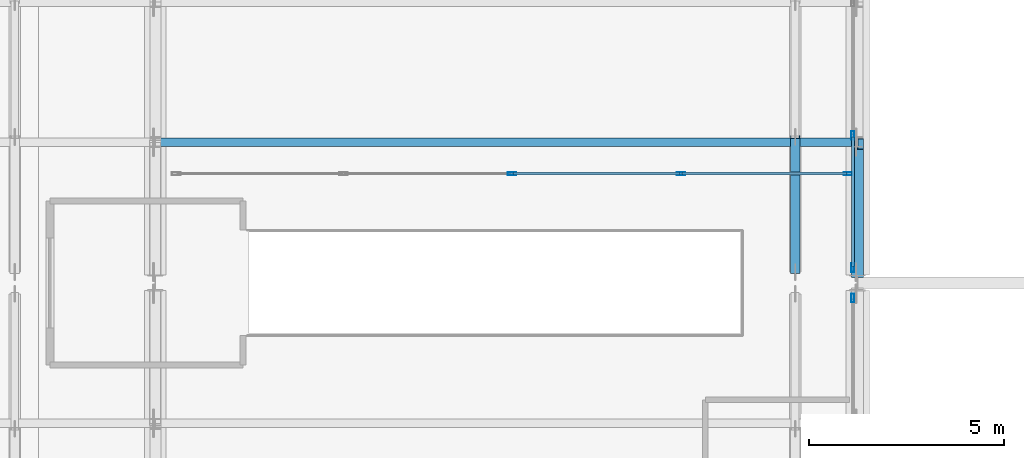
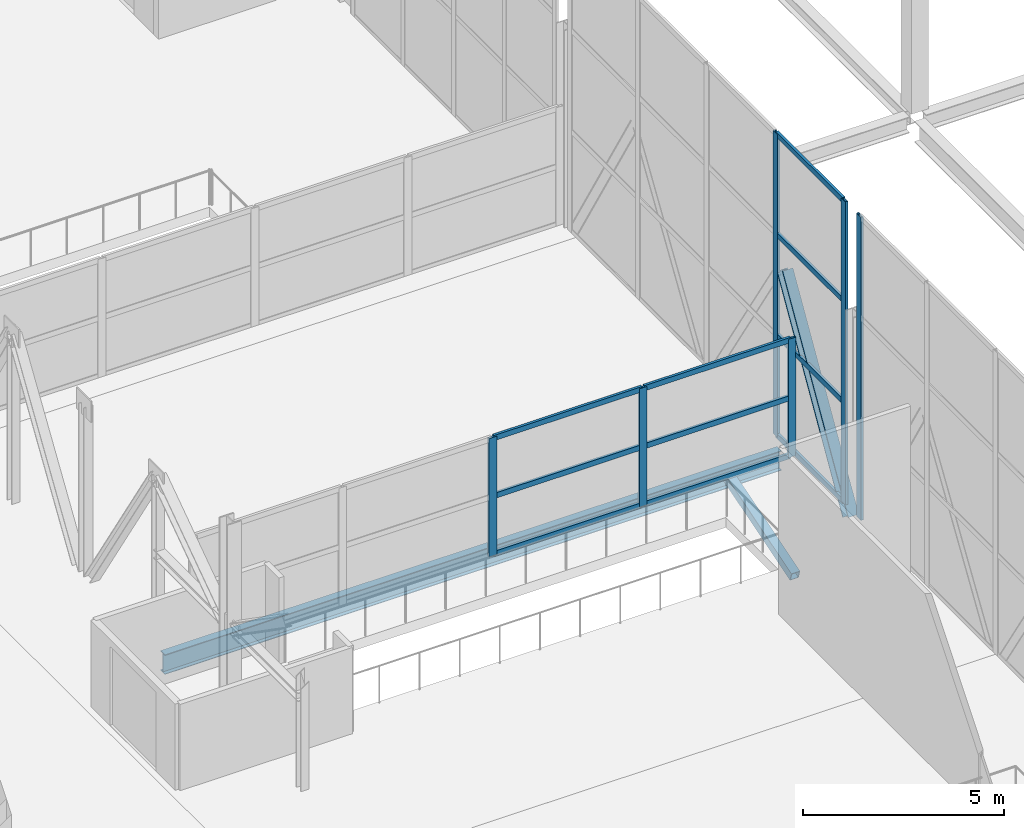
# One storey, part 107 of 191: 18 members, 1 beam, 3 elements without a shape of their own.
"""IFC4 building model written with IfcOpenShell, lengths in metres."""

import ifcopenshell
import ifcopenshell.guid

model = None  # the IFC model being written
_history = None  # IfcOwnerHistory: only IFC2X3 demands one
_inside = {}  # id of a spatial element -> (the spatial element, [elements in it])
_under = {}  # id of a project, library or spatial element -> (it, [spatial elements below it])
_declared = {}  # id of a project -> (the project, [libraries it declares])
_typed = {}  # id of a type object -> (the type object, [elements of that type])
_made_of = {}  # id of a material, layer set ... -> (it, [elements and type objects made of it])


def new_model(schema):
    """Start an empty IFC model of exactly this schema.

    Asked for "IFC4X3", IfcOpenShell would pick the latest addendum, in which some entities
    have other attributes; the version numbers below select the first issue.
    IFC2X3 requires an IfcOwnerHistory on every rooted entity: one is made here for all.
    """
    global model, _history
    if schema == "IFC4X3":
        model = ifcopenshell.file(schema_version=(4, 3, 0, 0))
    else:
        model = ifcopenshell.file(schema=schema)
    _inside.clear()
    _under.clear()
    _declared.clear()
    _typed.clear()
    _made_of.clear()
    _history = None
    if model.schema == "IFC2X3":
        org = make("IfcOrganization", Name="unknown")
        user = make(
            "IfcPersonAndOrganization",
            ThePerson=make("IfcPerson", FamilyName="unknown"),
            TheOrganization=org,
        )
        app = make(
            "IfcApplication",
            ApplicationDeveloper=org,
            Version="unknown",
            ApplicationFullName="unknown",
            ApplicationIdentifier="unknown",
        )
        _history = make(
            "IfcOwnerHistory",
            OwningUser=user,
            OwningApplication=app,
            ChangeAction="ADDED",
            CreationDate=0,
        )
    return model


def make(cls, **values):
    """One entity of the class cls with the attributes given. An attribute that is None is left unset."""
    return model.create_entity(
        cls, **{name: value for name, value in values.items() if value is not None}
    )


def rooted(cls, **values):
    """An entity with a GlobalId (a new one), such as an element, a storey or a relation."""
    return make(cls, GlobalId=ifcopenshell.guid.new(), OwnerHistory=_history, **values)


def si_unit(unit_type, name, prefix=None):
    """IfcSIUnit, for example si_unit("LENGTHUNIT", "METRE", prefix="MILLI")."""
    return make("IfcSIUnit", UnitType=unit_type, Prefix=prefix, Name=name)


def assignment(units):
    """IfcUnitAssignment: the units of a project."""
    return None if units is None else make("IfcUnitAssignment", Units=units)


def point(xyz):
    """IfcCartesianPoint."""
    return None if xyz is None else make("IfcCartesianPoint", Coordinates=xyz)


def direction(xyz):
    """IfcDirection."""
    return None if xyz is None else make("IfcDirection", DirectionRatios=xyz)


def frame(location, z_axis=None, x_axis=None):
    """IfcAxis2Placement3D, a coordinate frame: its origin and axes. An axis left out is left unset."""
    return make(
        "IfcAxis2Placement3D",
        Location=point(location),
        Axis=direction(z_axis),
        RefDirection=direction(x_axis),
    )


def frame_2d(location, x_axis=None):
    """IfcAxis2Placement2D, a coordinate frame in the plane: its origin and x axis."""
    return make(
        "IfcAxis2Placement2D", Location=point(location), RefDirection=direction(x_axis)
    )


def origin():
    """The frame at (0, 0, 0) with its axes left unset."""
    return frame((0.0, 0.0, 0.0))


def origin_2d():
    """The frame at (0, 0) in the plane with its x axis left unset."""
    return frame_2d((0.0, 0.0))


def place(relative_to, where):
    """IfcLocalPlacement: puts the frame where relative to a parent placement (None: the world)."""
    return make(
        "IfcLocalPlacement", PlacementRelTo=relative_to, RelativePlacement=where
    )


def context(
    kind, dimensions, precision=None, world=None, true_north=None, identifier=None
):
    """IfcGeometricRepresentationContext, for example the 3D "Model" context."""
    return make(
        "IfcGeometricRepresentationContext",
        ContextIdentifier=identifier,
        ContextType=kind,
        CoordinateSpaceDimension=dimensions,
        Precision=precision,
        WorldCoordinateSystem=world,
        TrueNorth=true_north,
    )


def subcontext(parent, identifier, kind, view, scale=None):
    """IfcGeometricRepresentationSubContext, for example "Body" below "Model"."""
    return make(
        "IfcGeometricRepresentationSubContext",
        ContextIdentifier=identifier,
        ContextType=kind,
        ParentContext=parent,
        TargetScale=scale,
        TargetView=view,
    )


def project(units=None, contexts=None):
    """IfcProject with its units and contexts."""
    return rooted(
        "IfcProject",
        Name="project",
        RepresentationContexts=contexts,
        UnitsInContext=assignment(units),
    )


def spatial(cls, under=None, at=None, **own):
    """A site, building, storey or space (cls), placed at a placement, below another one or the project."""
    s = rooted(cls, ObjectPlacement=at, **own)
    if under is not None:
        _under.setdefault(under.id(), (under, []))[1].append(s)
    return s


def profile(cls, at=None, kind="AREA", **sizes):
    """A parametric profile (cls). Its sizes go by their IFC names, for example OverallWidth=200.0."""
    return make(cls, ProfileType=kind, Position=at, **sizes)


def hollow_rectangle(**sizes):
    """IfcRectangleHollowProfileDef."""
    return profile("IfcRectangleHollowProfileDef", **sizes)


def i_section(**sizes):
    """IfcIShapeProfileDef."""
    return profile("IfcIShapeProfileDef", **sizes)


def extrude(swept, where, along, depth):
    """IfcExtrudedAreaSolid: the profile swept, set in the frame where, extruded along a direction by depth."""
    return make(
        "IfcExtrudedAreaSolid",
        SweptArea=swept,
        Position=where,
        ExtrudedDirection=direction(along),
        Depth=depth,
    )


def shape(context_of_items, identifier, shape_type, items):
    """IfcShapeRepresentation: the items that make up one representation, for example the "Body"."""
    return make(
        "IfcShapeRepresentation",
        ContextOfItems=context_of_items,
        RepresentationIdentifier=identifier,
        RepresentationType=shape_type,
        Items=items,
    )


def material(Name=None, Category=None):
    """IfcMaterial."""
    return make("IfcMaterial", Name=Name, Category=Category)


def layer(
    of_material, thickness, ventilated=None, Name=None, Category=None, Priority=None
):
    """IfcMaterialLayer: one layer of a wall or slab, of a material (None: an air gap)."""
    return make(
        "IfcMaterialLayer",
        Material=of_material,
        LayerThickness=thickness,
        IsVentilated=ventilated,
        Name=Name,
        Category=Category,
        Priority=Priority,
    )


def layer_set(layers, Name=None):
    """IfcMaterialLayerSet."""
    return make("IfcMaterialLayerSet", MaterialLayers=layers, LayerSetName=Name)


def material_profile(
    of_material, cross_section, Name=None, Category=None, Priority=None
):
    """IfcMaterialProfile: a cross section and its material."""
    return make(
        "IfcMaterialProfile",
        Name=Name,
        Material=of_material,
        Profile=cross_section,
        Priority=Priority,
        Category=Category,
    )


def profile_set(profiles, Name=None, composite=None):
    """IfcMaterialProfileSet."""
    return make(
        "IfcMaterialProfileSet",
        Name=Name,
        MaterialProfiles=profiles,
        CompositeProfile=composite,
    )


def made_of(thing, what):
    """Note that an element or type object is made of a material, layer set ...; save() writes the relation."""
    if what is not None:
        _made_of.setdefault(what.id(), (what, []))[1].append(thing)
    return thing


def type_object(cls, material=None, **own):
    """A type object (cls), such as IfcWallType, which elements share."""
    return made_of(rooted(cls, **own), material)


def element(
    cls,
    number,
    at=None,
    inside=None,
    cuts=None,
    type_object=None,
    material=None,
    context=None,
    identifier="Body",
    shape_type=None,
    held_by="IfcProductDefinitionShape",
    body=None,
    shapes=None,
    **own,
):
    """One element of the class cls, such as IfcWall. Its Tag is "e" and its number.

    at: its placement. inside: the storey or other place that contains it. cuts: it is an
    opening in that element (IfcRelVoidsElement). A single representation is given by context,
    identifier, shape_type and body (its items); several are given by shapes. held_by: the class
    of the entity that holds the representations. save() writes the other relations.
    """
    e = rooted(cls, Tag="e%d" % number, ObjectPlacement=at, **own)
    if body is not None:
        shapes = [shape(context, identifier, shape_type, body)]
    if shapes is not None:
        e.Representation = make(held_by, Representations=shapes)
    if inside is not None:
        _inside.setdefault(inside.id(), (inside, []))[1].append(e)
    if cuts is not None:
        rooted(
            "IfcRelVoidsElement", RelatingBuildingElement=cuts, RelatedOpeningElement=e
        )
    if type_object is not None:
        _typed.setdefault(type_object.id(), (type_object, []))[1].append(e)
    return made_of(e, material)


def aggregate(whole, parts):
    """IfcRelAggregates: a whole, such as a stair, and the parts it consists of."""
    return rooted("IfcRelAggregates", RelatingObject=whole, RelatedObjects=parts)


def save(model, path):
    """Write the relations noted so far, then the file.

    IfcRelAggregates (storeys below a building ...), IfcRelContainedInSpatialStructure (elements
    in a storey), IfcRelDefinesByType, IfcRelAssociatesMaterial and IfcRelDeclares: one each for
    every whole, place, type object, material and project.
    """
    for whole, parts in _under.values():
        aggregate(whole, parts)
    for where, things in _inside.values():
        rooted(
            "IfcRelContainedInSpatialStructure",
            RelatedElements=things,
            RelatingStructure=where,
        )
    for kind, things in _typed.values():
        rooted("IfcRelDefinesByType", RelatedObjects=things, RelatingType=kind)
    for what, things in _made_of.values():
        rooted("IfcRelAssociatesMaterial", RelatedObjects=things, RelatingMaterial=what)
    for by, libraries in _declared.values():
        rooted("IfcRelDeclares", RelatingContext=by, RelatedDefinitions=libraries)
    model.write(path)


model = new_model("IFC4")

# Units and contexts
model_context = context("Model", 3, precision=1e-05, world=origin(), true_north=direction((0.0, 1.0)))
body_context = subcontext(model_context, "Body", "Model", "MODEL_VIEW")
ifc_project = project(units=[si_unit("LENGTHUNIT", "METRE"), si_unit("AREAUNIT", "SQUARE_METRE"), si_unit("VOLUMEUNIT", "CUBIC_METRE"), si_unit("PLANEANGLEUNIT", "RADIAN"), si_unit("MASSUNIT", "GRAM", prefix="KILO")], contexts=[model_context])

# Site, building, storey
site_placement = place(None, origin())
site = spatial("IfcSite", under=ifc_project, at=site_placement, CompositionType="ELEMENT")
building_placement = place(site_placement, origin())
building = spatial("IfcBuilding", under=site, at=building_placement, Name="Tamarisk Ironworks Central Station", CompositionType="ELEMENT")
storey_placement = place(building_placement, frame((0.0, 0.0, 6.60009765625)))
storey = spatial("IfcBuildingStorey", under=building, at=storey_placement, Name="L01", CompositionType="ELEMENT", Elevation=6.60009765625)

# Beam
ifc_material_1 = material(Name="Structural steel S355J2", Category="steel")
ifc_material_profile_1 = material_profile(ifc_material_1, i_section(OverallWidth=0.219970703125, OverallDepth=0.60009765625, WebThickness=0.011962890625, FlangeThickness=0.01904296875, at=origin_2d()), Name="IPE 600")
ifc_profile_set_1 = profile_set([ifc_material_profile_1], Name="Structural steel S355J2")
beam_type = type_object("IfcBeamType", Name="BM-B01", PredefinedType="BEAM", material=ifc_profile_set_1)
beam_placement = place(storey_placement, frame((90.135009765625, 68.39990234375, -0.60009765625), z_axis=(1.0, 0.0, 0.0), x_axis=(0.0, 1.0, 0.0)))
element("IfcBeam", 1, at=beam_placement, inside=storey, type_object=beam_type, Name="L01 secondary composite beam 0041", PredefinedType="BEAM", context=body_context, shape_type="SweptSolid", body=[
    extrude(i_section(OverallWidth=0.219970703125, OverallDepth=0.60009765625, WebThickness=0.011962890625, FlangeThickness=0.01904296875, at=origin_2d()), origin(), (0.0, 0.0, 1.0), 17.72998046875),
])

# Curtain wall, member
ifc_material_2 = material(Name="Anodized aluminium alloy 6063-T6", Category="aluminium")
ifc_layer_1 = layer(ifc_material_2, 0.179931640625)
ifc_layer_set_1 = layer_set([ifc_layer_1], Name="Anodized aluminium alloy 6063-T6")
curtain_wall_type_1 = type_object("IfcCurtainWallType", Name="CW-06", PredefinedType="USERDEFINED", material=ifc_layer_set_1)
curtain_wall_1_placement = place(storey_placement, origin())
curtain_wall_1 = element("IfcCurtainWall", 2, at=curtain_wall_1_placement, inside=storey, type_object=curtain_wall_type_1, Name="Concourse E track-overlook curtain wall 04", ObjectType="GLAZED CURTAIN WALL", PredefinedType="USERDEFINED")
ifc_material_profile_2 = material_profile(ifc_material_2, hollow_rectangle(XDim=0.074951171875, YDim=0.219970703125, WallThickness=0.00390625, at=origin_2d()), Name="ALUM 220x75")
ifc_profile_set_2 = profile_set([ifc_material_profile_2], Name="Anodized aluminium alloy 6063-T6")
member_type_1 = type_object("IfcMemberType", Name="CWM-01", PredefinedType="MULLION", material=ifc_profile_set_2)
member_1_placement = place(storey_placement, frame((107.8798828125, 64.41259765625, 0.0), z_axis=(0.0, 0.0, 1.0), x_axis=(-1.0, 0.0, 0.0)))
member_1 = element("IfcMember", 3, at=member_1_placement, type_object=member_type_1, Name="CW06 mullion 5", PredefinedType="MULLION", context=body_context, shape_type="SweptSolid", body=[
    extrude(hollow_rectangle(XDim=0.074951171875, YDim=0.219970703125, WallThickness=0.00390625, at=origin_2d()), origin(), (0.0, 0.0, 1.0), 9.219970703125),
])
aggregate(curtain_wall_1, [member_1])

# Curtain wall, members
curtain_wall_2_placement = place(storey_placement, origin())
curtain_wall_2 = element("IfcCurtainWall", 4, at=curtain_wall_2_placement, inside=storey, type_object=curtain_wall_type_1, Name="Concourse E track-overlook curtain wall 05", ObjectType="GLAZED CURTAIN WALL", PredefinedType="USERDEFINED")
member_2_placement = place(storey_placement, frame((107.8798828125, 65.1875, 0.0), z_axis=(0.0, 0.0, 1.0), x_axis=(-1.0, 0.0, 0.0)))
member_2 = element("IfcMember", 5, at=member_2_placement, type_object=member_type_1, Name="CW06 mullion 1", PredefinedType="MULLION", context=body_context, shape_type="SweptSolid", body=[
    extrude(hollow_rectangle(XDim=0.074951171875, YDim=0.219970703125, WallThickness=0.00390625, at=origin_2d()), origin(), (0.0, 0.0, 1.0), 9.219970703125),
])
member_3_placement = place(storey_placement, frame((107.8798828125, 68.574951171875, 0.0), z_axis=(0.0, 0.0, 1.0), x_axis=(-1.0, 0.0, 0.0)))
member_3 = element("IfcMember", 6, at=member_3_placement, type_object=member_type_1, Name="CW06 mullion 2", PredefinedType="MULLION", context=body_context, shape_type="SweptSolid", body=[
    extrude(hollow_rectangle(XDim=0.074951171875, YDim=0.219970703125, WallThickness=0.00390625, at=origin_2d()), origin(), (0.0, 0.0, 1.0), 9.219970703125),
])

ifc_layer_2 = layer(ifc_material_2, 0.179931640625)
ifc_layer_set_2 = layer_set([ifc_layer_2], Name="Anodized aluminium alloy 6063-T6")
curtain_wall_type_2 = type_object("IfcCurtainWallType", Name="CW-24", PredefinedType="USERDEFINED", material=ifc_layer_set_2)
curtain_wall_3_placement = place(storey_placement, origin())
curtain_wall_3 = element("IfcCurtainWall", 7, at=curtain_wall_3_placement, inside=storey, type_object=curtain_wall_type_2, Name="North bridge trackside east glazed screen", ObjectType="GLAZED CURTAIN WALL", PredefinedType="USERDEFINED")
member_4_placement = place(storey_placement, frame((99.14599609375, 67.60009765625, 0.0), z_axis=(0.0, 0.0, 1.0), x_axis=(0.0, 1.0, 0.0)))
member_4 = element("IfcMember", 8, at=member_4_placement, type_object=member_type_1, Name="CW24 mullion 3", PredefinedType="MULLION", context=body_context, shape_type="SweptSolid", body=[
    extrude(hollow_rectangle(XDim=0.074951171875, YDim=0.219970703125, WallThickness=0.00390625, at=origin_2d()), origin(), (0.0, 0.0, 1.0), 3.599853515625),
])
member_5_placement = place(storey_placement, frame((103.468994140625, 67.60009765625, 0.0), z_axis=(0.0, 0.0, 1.0), x_axis=(0.0, 1.0, 0.0)))
member_5 = element("IfcMember", 9, at=member_5_placement, type_object=member_type_1, Name="CW24 mullion 4", PredefinedType="MULLION", context=body_context, shape_type="SweptSolid", body=[
    extrude(hollow_rectangle(XDim=0.074951171875, YDim=0.219970703125, WallThickness=0.00390625, at=origin_2d()), origin(), (0.0, 0.0, 1.0), 3.599853515625),
])
member_6_placement = place(storey_placement, frame((107.75439453125, 67.60009765625, 0.0), z_axis=(0.0, 0.0, 1.0), x_axis=(0.0, 1.0, 0.0)))
member_6 = element("IfcMember", 10, at=member_6_placement, type_object=member_type_1, Name="CW24 mullion 5", PredefinedType="MULLION", context=body_context, shape_type="SweptSolid", body=[
    extrude(hollow_rectangle(XDim=0.074951171875, YDim=0.219970703125, WallThickness=0.00390625, at=origin_2d()), origin(), (0.0, 0.0, 1.0), 3.599853515625),
])

# Member
ifc_material_profile_3 = material_profile(ifc_material_2, hollow_rectangle(XDim=0.074951171875, YDim=0.159912109375, WallThickness=0.00390625, at=origin_2d()), Name="ALUM 160x75")
ifc_profile_set_3 = profile_set([ifc_material_profile_3], Name="Anodized aluminium alloy 6063-T6")
member_type_2 = type_object("IfcMemberType", Name="CWT-01", PredefinedType="USERDEFINED", material=ifc_profile_set_3)
member_7_placement = place(storey_placement, frame((107.8798828125, 65.220947265625, 0.037353515625), z_axis=(0.0, 1.0, 0.0), x_axis=(-1.0, 0.0, 0.0)))
member_7 = element("IfcMember", 11, at=member_7_placement, type_object=member_type_2, Name="CW06 transom 1.1", ObjectType="TRANSOM", PredefinedType="USERDEFINED", context=body_context, shape_type="SweptSolid", body=[
    extrude(hollow_rectangle(XDim=0.074951171875, YDim=0.159912109375, WallThickness=0.00390625, at=origin_2d()), origin(), (0.0, 0.0, 1.0), 3.320556640625),
])

member_8_placement = place(storey_placement, frame((107.8798828125, 65.220947265625, 3.0732421875), z_axis=(0.0, 1.0, 0.0), x_axis=(-1.0, 0.0, 0.0)))
member_8 = element("IfcMember", 12, at=member_8_placement, type_object=member_type_2, Name="CW06 transom 1.2", ObjectType="TRANSOM", PredefinedType="USERDEFINED", context=body_context, shape_type="SweptSolid", body=[
    extrude(hollow_rectangle(XDim=0.074951171875, YDim=0.159912109375, WallThickness=0.00390625, at=origin_2d()), origin(), (0.0, 0.0, 1.0), 3.320556640625),
])

member_9_placement = place(storey_placement, frame((107.8798828125, 65.220947265625, 6.146484375), z_axis=(0.0, 1.0, 0.0), x_axis=(-1.0, 0.0, 0.0)))
member_9 = element("IfcMember", 13, at=member_9_placement, type_object=member_type_2, Name="CW06 transom 1.3", ObjectType="TRANSOM", PredefinedType="USERDEFINED", context=body_context, shape_type="SweptSolid", body=[
    extrude(hollow_rectangle(XDim=0.074951171875, YDim=0.159912109375, WallThickness=0.00390625, at=origin_2d()), origin(), (0.0, 0.0, 1.0), 3.320556640625),
])

member_10_placement = place(storey_placement, frame((107.8798828125, 65.220947265625, 9.182373046875), z_axis=(0.0, 1.0, 0.0), x_axis=(-1.0, 0.0, 0.0)))
member_10 = element("IfcMember", 14, at=member_10_placement, type_object=member_type_2, Name="CW06 transom 1.4", ObjectType="TRANSOM", PredefinedType="USERDEFINED", context=body_context, shape_type="SweptSolid", body=[
    extrude(hollow_rectangle(XDim=0.074951171875, YDim=0.159912109375, WallThickness=0.00390625, at=origin_2d()), origin(), (0.0, 0.0, 1.0), 3.320556640625),
])

aggregate(curtain_wall_2, [member_2, member_3, member_7, member_8, member_9, member_10])

member_11_placement = place(storey_placement, frame((99.179443359375, 67.60009765625, 0.037353515625), z_axis=(1.0, 0.0, 0.0), x_axis=(0.0, 1.0, 0.0)))
member_11 = element("IfcMember", 15, at=member_11_placement, type_object=member_type_2, Name="CW24 transom 3.1", ObjectType="TRANSOM", PredefinedType="USERDEFINED", context=body_context, shape_type="SweptSolid", body=[
    extrude(hollow_rectangle(XDim=0.074951171875, YDim=0.159912109375, WallThickness=0.00390625, at=origin_2d()), origin(), (0.0, 0.0, 1.0), 4.256103515625),
])

member_12_placement = place(storey_placement, frame((99.179443359375, 67.60009765625, 1.7998046875), z_axis=(1.0, 0.0, 0.0), x_axis=(0.0, 1.0, 0.0)))
member_12 = element("IfcMember", 16, at=member_12_placement, type_object=member_type_2, Name="CW24 transom 3.2", ObjectType="TRANSOM", PredefinedType="USERDEFINED", context=body_context, shape_type="SweptSolid", body=[
    extrude(hollow_rectangle(XDim=0.074951171875, YDim=0.159912109375, WallThickness=0.00390625, at=origin_2d()), origin(), (0.0, 0.0, 1.0), 4.256103515625),
])

member_13_placement = place(storey_placement, frame((99.179443359375, 67.60009765625, 3.5625), z_axis=(1.0, 0.0, 0.0), x_axis=(0.0, 1.0, 0.0)))
member_13 = element("IfcMember", 17, at=member_13_placement, type_object=member_type_2, Name="CW24 transom 3.3", ObjectType="TRANSOM", PredefinedType="USERDEFINED", context=body_context, shape_type="SweptSolid", body=[
    extrude(hollow_rectangle(XDim=0.074951171875, YDim=0.159912109375, WallThickness=0.00390625, at=origin_2d()), origin(), (0.0, 0.0, 1.0), 4.256103515625),
])

member_14_placement = place(storey_placement, frame((103.50244140625, 67.60009765625, 0.037353515625), z_axis=(1.0, 0.0, 0.0), x_axis=(0.0, 1.0, 0.0)))
member_14 = element("IfcMember", 18, at=member_14_placement, type_object=member_type_2, Name="CW24 transom 4.1", ObjectType="TRANSOM", PredefinedType="USERDEFINED", context=body_context, shape_type="SweptSolid", body=[
    extrude(hollow_rectangle(XDim=0.074951171875, YDim=0.159912109375, WallThickness=0.00390625, at=origin_2d()), origin(), (0.0, 0.0, 1.0), 4.218505859375),
])

member_15_placement = place(storey_placement, frame((103.50244140625, 67.60009765625, 1.7998046875), z_axis=(1.0, 0.0, 0.0), x_axis=(0.0, 1.0, 0.0)))
member_15 = element("IfcMember", 19, at=member_15_placement, type_object=member_type_2, Name="CW24 transom 4.2", ObjectType="TRANSOM", PredefinedType="USERDEFINED", context=body_context, shape_type="SweptSolid", body=[
    extrude(hollow_rectangle(XDim=0.074951171875, YDim=0.159912109375, WallThickness=0.00390625, at=origin_2d()), origin(), (0.0, 0.0, 1.0), 4.218505859375),
])

member_16_placement = place(storey_placement, frame((103.50244140625, 67.60009765625, 3.5625), z_axis=(1.0, 0.0, 0.0), x_axis=(0.0, 1.0, 0.0)))
member_16 = element("IfcMember", 20, at=member_16_placement, type_object=member_type_2, Name="CW24 transom 4.3", ObjectType="TRANSOM", PredefinedType="USERDEFINED", context=body_context, shape_type="SweptSolid", body=[
    extrude(hollow_rectangle(XDim=0.074951171875, YDim=0.159912109375, WallThickness=0.00390625, at=origin_2d()), origin(), (0.0, 0.0, 1.0), 4.218505859375),
])

aggregate(curtain_wall_3, [member_4, member_5, member_6, member_11, member_12, member_13, member_14, member_15, member_16])

# Members
ifc_material_3 = material(Name="Structural steel S355J2H", Category="steel")
ifc_material_profile_4 = material_profile(ifc_material_3, hollow_rectangle(XDim=0.25, YDim=0.25, WallThickness=0.012451171875, at=origin_2d()), Name="SHS 250x250x12.5")
ifc_profile_set_4 = profile_set([ifc_material_profile_4], Name="Structural steel S355J2H")
member_type_3 = type_object("IfcMemberType", Name="MB-BR01", PredefinedType="BRACE", material=ifc_profile_set_4)
member_17_placement = place(storey_placement, frame((106.39990234375, 65.080078125, -1.64013671875), z_axis=(0.0, 0.956131332595, 0.292938346467), x_axis=(-1.0, 0.0, 0.0)))
element("IfcMember", 21, at=member_17_placement, inside=storey, type_object=member_type_3, Name="Bridge deck stiffening web brace 205", PredefinedType="BRACE", context=body_context, shape_type="SweptSolid", body=[
    extrude(hollow_rectangle(XDim=0.25, YDim=0.25, WallThickness=0.012451171875, at=origin_2d()), origin(), (0.0, 0.0, 1.0), 3.61865234375),
])
ifc_material_profile_5 = material_profile(ifc_material_1, i_section(OverallWidth=0.300048828125, OverallDepth=0.340087890625, WebThickness=0.011962890625, FlangeThickness=0.021484375, at=origin_2d()), Name="HEB 340")
ifc_profile_set_5 = profile_set([ifc_material_profile_5], Name="Structural steel S355J2")
member_type_4 = type_object("IfcMemberType", Name="MB-TTD01", PredefinedType="BRACE", material=ifc_profile_set_5)
member_18_placement = place(storey_placement, frame((108.0, 65.080078125, -0.380126953125), z_axis=(0.0, 0.512200847378, 0.858865700762), x_axis=(-1.0, 0.0, 0.0)))
element("IfcMember", 22, at=member_18_placement, inside=storey, type_object=member_type_4, Name="Transfer truss diagonal 106", PredefinedType="BRACE", context=body_context, shape_type="SweptSolid", body=[
    extrude(i_section(OverallWidth=0.300048828125, OverallDepth=0.340087890625, WebThickness=0.011962890625, FlangeThickness=0.021484375, at=origin_2d()), origin(), (0.0, 0.0, 1.0), 6.40380859375),
])

save(model, "model.ifc")
